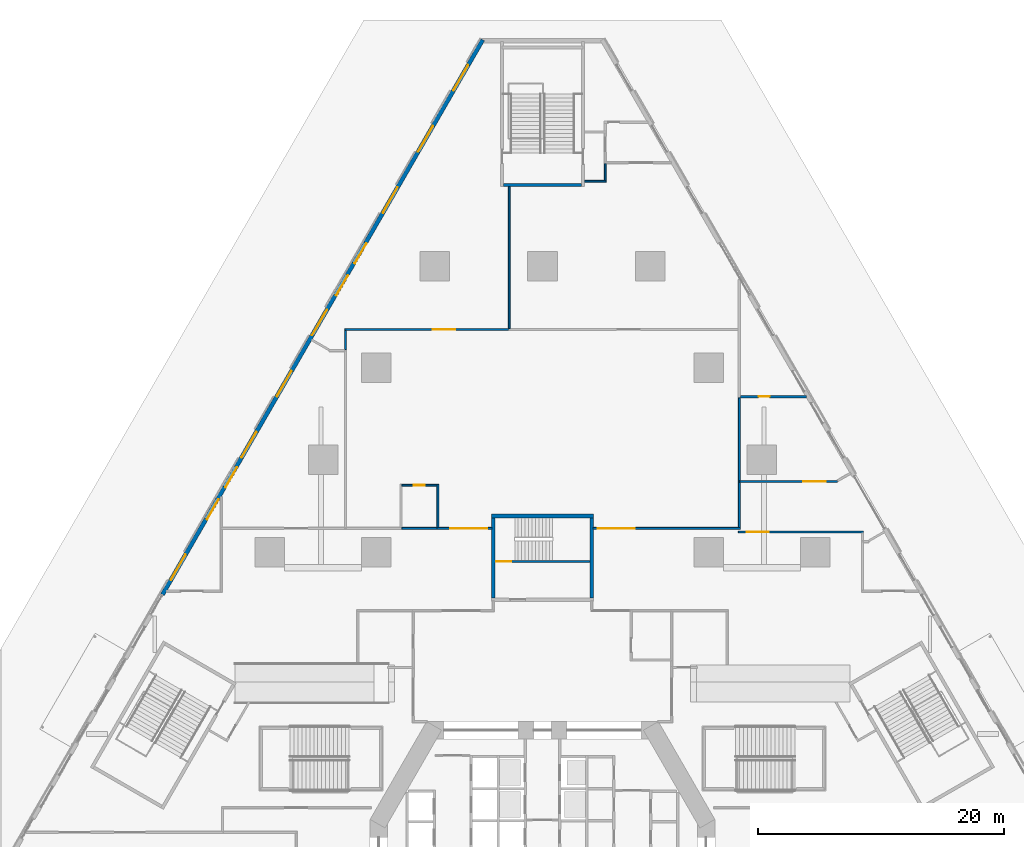
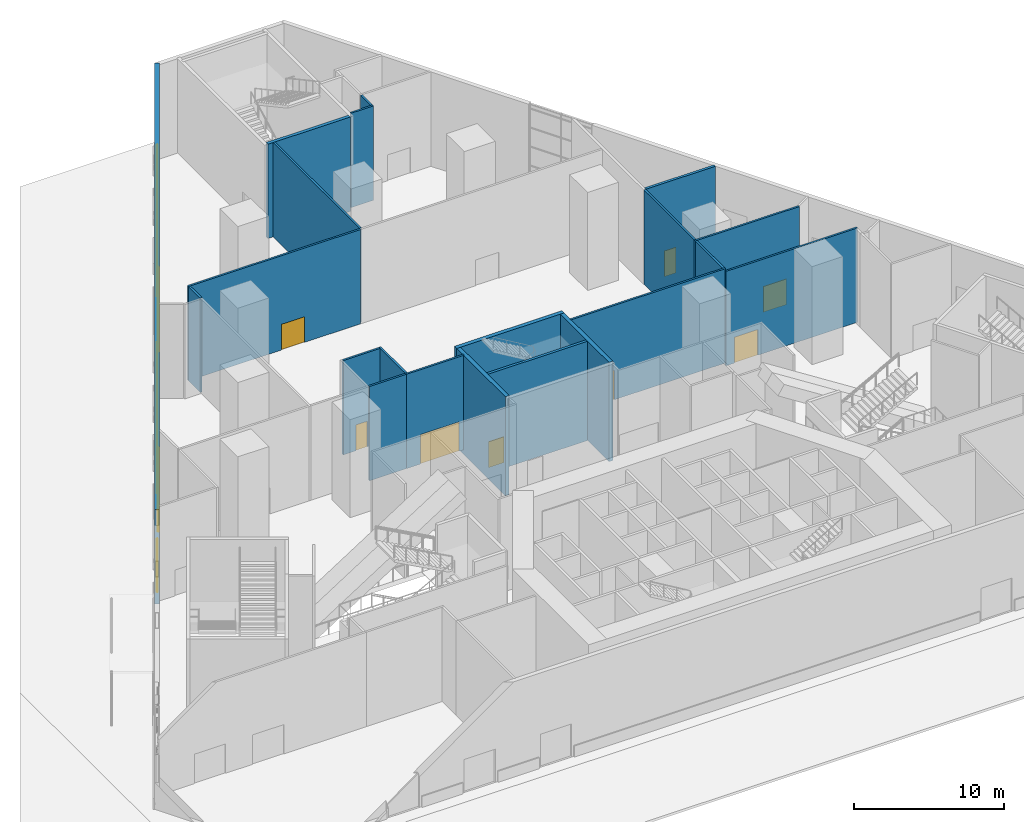
# One storey, part 16 of 24: 21 walls, 15 doors, 4 windows, 19 openings.
"""IFC4 building model written with IfcOpenShell, lengths in metres."""

from ifc_helpers import new_model, si_unit, direction, frame, frame_2d, origin, place, context, subcontext, project, spatial, rectangle, extrude, material, layer, layer_set, type_object, element, fill, save


model = new_model("IFC4")

# Units and contexts
model_context = context("Model", 3, precision=1e-05, world=origin(), true_north=direction((0.0, 1.0)))
body_context = subcontext(model_context, "Body", "Model", "MODEL_VIEW")
ifc_project = project(units=[si_unit("LENGTHUNIT", "METRE"), si_unit("AREAUNIT", "SQUARE_METRE"), si_unit("VOLUMEUNIT", "CUBIC_METRE"), si_unit("PLANEANGLEUNIT", "RADIAN"), si_unit("MASSUNIT", "GRAM", prefix="KILO")], contexts=[model_context])

# Site, building, storey
site_placement = place(None, origin())
site = spatial("IfcSite", under=ifc_project, at=site_placement, CompositionType="ELEMENT")
building_placement = place(site_placement, origin())
building = spatial("IfcBuilding", under=site, at=building_placement, Name="Fogline Exchange Tower", CompositionType="ELEMENT")
storey_placement = place(building_placement, origin())
storey = spatial("IfcBuildingStorey", under=building, at=storey_placement, Name="L00", CompositionType="ELEMENT", Elevation=0.0)

# Wall, opening, door
ifc_material_1 = material(Name="Concrete C40", Category="concrete")
ifc_layer_1 = layer(ifc_material_1, 0.199951171875)
ifc_layer_set_1 = layer_set([ifc_layer_1], Name="CW20R")
wall_type_1 = type_object("IfcWallType", Name="CW20R", PredefinedType="SOLIDWALL", material=ifc_layer_set_1)
wall_1_placement = place(storey_placement, frame((-3.85009765625, 32.007080078125, -0.39990234375), z_axis=(0.0, 0.0, 1.0), x_axis=(1.0, 0.0, 0.0)))
wall_1 = element("IfcWall", 1, at=wall_1_placement, inside=storey, type_object=wall_type_1, Name="Stair enclosure wall ST3", PredefinedType="SOLIDWALL", context=body_context, shape_type="SweptSolid", body=[
    extrude(rectangle(XDim=7.7001953125, YDim=0.199951171875, at=frame_2d((3.85009765625, 0.0))), origin(), (0.0, 0.0, 1.0), 8.099853515625),
])
opening_1_placement = place(wall_1_placement, frame((0.10009765625, 0.0, 0.39990234375)))
opening_1 = element("IfcOpeningElement", 2, at=opening_1_placement, cuts=wall_1, Name="Opening P00-C024", PredefinedType="OPENING", context=body_context, shape_type="SweptSolid", body=[
    extrude(rectangle(XDim=1.199951171875, YDim=2.10009765625, at=frame_2d((0.60009765625, 1.050048828125))), frame((0.0, 0.10986328125, 0.0), z_axis=(0.0, -1.0, 0.0), x_axis=(1.0, 0.0, 0.0)), (0.0, 0.0, 1.0), 0.219970703125),
])
ifc_material_2 = material(Name="Steel and timber fire door", Category="steel")
door_type_1 = type_object("IfcDoorType", Name="D-ST1", OperationType="SINGLE_SWING_LEFT", PredefinedType="DOOR", material=ifc_material_2)
door_1_placement = place(opening_1_placement, origin())
door_1 = element("IfcDoor", 3, at=door_1_placement, inside=storey, type_object=door_type_1, Name="Stair door ST3", OperationType="SINGLE_SWING_LEFT", OverallHeight=2.10009765625, OverallWidth=1.199951171875, PredefinedType="DOOR", context=body_context, shape_type="SweptSolid", body=[
    extrude(rectangle(XDim=1.199951171875, YDim=2.10009765625, at=frame_2d((0.60009765625, 1.050048828125))), frame((0.0, 0.02490234375, 0.0), z_axis=(0.0, -1.0, 0.0), x_axis=(1.0, 0.0, 0.0)), (0.0, 0.0, 1.0), 0.050048828125),
])
fill(opening_1, door_1)

# Walls
ifc_layer_2 = layer(ifc_material_1, 0.300048828125)
ifc_layer_set_2 = layer_set([ifc_layer_2], Name="CW30")
wall_type_2 = type_object("IfcWallType", Name="CW30", PredefinedType="SOLIDWALL", material=ifc_layer_set_2)
wall_2_placement = place(storey_placement, frame((-4.14990234375, 35.70703125, -0.39990234375), z_axis=(0.0, 0.0, 1.0), x_axis=(1.0, 0.0, 0.0)))
element("IfcWall", 4, at=wall_2_placement, inside=storey, type_object=wall_type_2, Name="Stair enclosure wall ST3", PredefinedType="SOLIDWALL", context=body_context, shape_type="SweptSolid", body=[
    extrude(rectangle(XDim=8.2998046875, YDim=0.300048828125, at=frame_2d((4.14990234375, 0.0))), origin(), (0.0, 0.0, 1.0), 8.099853515625),
])
for number, where, z_axis, x_axis, name in (
    (5, (-4.0, 29.056884765625, -0.39990234375), (0.0, 0.0, 1.0), (0.0, 1.0, 0.0), "Stair enclosure wall ST3"),
    (6, (4.0, 29.056884765625, -0.39990234375), (0.0, 0.0, 1.0), (0.0, 1.0, 0.0), "Stair enclosure wall ST3"),
):
    element("IfcWall", number, at=place(storey_placement, frame(where, z_axis=z_axis, x_axis=x_axis)), inside=storey, type_object=wall_type_2, Name=name, PredefinedType="SOLIDWALL", context=body_context, shape_type="SweptSolid", body=[
        extrude(rectangle(XDim=6.5, YDim=0.300048828125, at=frame_2d((3.25, 0.0))), origin(), (0.0, 0.0, 1.0), 8.099853515625),
    ])

# Wall, openings, doors, windows
ifc_material_3 = material(Name="Brick masonry", Category="masonry")
ifc_layer_3 = layer(ifc_material_3, 0.340087890625)
ifc_layer_set_3 = layer_set([ifc_layer_3], Name="FW1")
wall_type_3 = type_object("IfcWallType", Name="FW1", PredefinedType="SOLIDWALL", material=ifc_layer_set_3)
wall_3_placement = place(storey_placement, frame((-4.852783203125, 74.393310546875, 0.0), z_axis=(0.0, 0.0, 1.0), x_axis=(-0.499999725439, -0.866025562302, 0.0)))
wall_3 = element("IfcWall", 7, at=wall_3_placement, inside=storey, type_object=wall_type_3, Name="Brick wall L00 W bay 1", PredefinedType="SOLIDWALL", context=body_context, shape_type="SweptSolid", body=[
    extrude(rectangle(XDim=52.0576171875, YDim=0.340087890625, at=frame_2d((26.02880859375, 0.0))), origin(), (0.0, 0.0, 1.0), 7.699951171875),
])
opening_2_placement = place(wall_3_placement, frame((19.0576171875, 0.0, 0.89990234375)))
opening_2 = element("IfcOpeningElement", 8, at=opening_2_placement, cuts=wall_3, Name="Opening W7", PredefinedType="OPENING", context=body_context, shape_type="SweptSolid", body=[
    extrude(rectangle(XDim=1.885009765625, YDim=3.5, at=frame_2d((0.9423828125, 1.75))), frame((0.0, 0.18017578125, 0.0), z_axis=(0.0, -1.0, 0.0), x_axis=(1.0, 0.0, 0.0)), (0.0, 0.0, 1.0), 0.360107421875),
])
opening_3_placement = place(wall_3_placement, frame((22.0576171875, 0.0, 0.89990234375)))
opening_3 = element("IfcOpeningElement", 9, at=opening_3_placement, cuts=wall_3, Name="Opening W7", PredefinedType="OPENING", context=body_context, shape_type="SweptSolid", body=[
    extrude(rectangle(XDim=1.885009765625, YDim=3.5, at=frame_2d((0.9423828125, 1.75))), frame((0.0, 0.18017578125, 0.0), z_axis=(0.0, -1.0, 0.0), x_axis=(1.0, 0.0, 0.0)), (0.0, 0.0, 1.0), 0.360107421875),
])
opening_4_placement = place(wall_3_placement, frame((40.0576171875, 0.0, 0.89990234375)))
opening_4 = element("IfcOpeningElement", 10, at=opening_4_placement, cuts=wall_3, Name="Opening W7", PredefinedType="OPENING", context=body_context, shape_type="SweptSolid", body=[
    extrude(rectangle(XDim=1.885009765625, YDim=3.5, at=frame_2d((0.9423828125, 1.75))), frame((0.0, 0.18017578125, 0.0), z_axis=(0.0, -1.0, 0.0), x_axis=(1.0, 0.0, 0.0)), (0.0, 0.0, 1.0), 0.360107421875),
])
opening_5_placement = place(wall_3_placement, frame((43.0576171875, 0.0, 0.89990234375)))
opening_5 = element("IfcOpeningElement", 11, at=opening_5_placement, cuts=wall_3, Name="Opening W7", PredefinedType="OPENING", context=body_context, shape_type="SweptSolid", body=[
    extrude(rectangle(XDim=1.885009765625, YDim=3.5, at=frame_2d((0.9423828125, 1.75))), frame((0.0, 0.18017578125, 0.0), z_axis=(0.0, -1.0, 0.0), x_axis=(1.0, 0.0, 0.0)), (0.0, 0.0, 1.0), 0.360107421875),
])
opening_6_placement = place(wall_3_placement, frame((48.279052734375, 0.0, 0.0)))
opening_6 = element("IfcOpeningElement", 12, at=opening_6_placement, cuts=wall_3, Name="Opening P00-E051", PredefinedType="OPENING", context=body_context, shape_type="SweptSolid", body=[
    extrude(rectangle(XDim=2.39990234375, YDim=2.699951171875, at=frame_2d((1.199951171875, 1.35009765625))), frame((0.0, 0.18017578125, 0.0), z_axis=(0.0, -1.0, 0.0), x_axis=(1.0, 0.0, 0.0)), (0.0, 0.0, 1.0), 0.360107421875),
])
opening_7_placement = place(wall_3_placement, frame((36.800048828125, 0.0, 0.0)))
opening_7 = element("IfcOpeningElement", 13, at=opening_7_placement, cuts=wall_3, Name="Opening P00-E052", PredefinedType="OPENING", context=body_context, shape_type="SweptSolid", body=[
    extrude(rectangle(XDim=2.39990234375, YDim=2.699951171875, at=frame_2d((1.199951171875, 1.35009765625))), frame((0.0, 0.18017578125, 0.0), z_axis=(0.0, -1.0, 0.0), x_axis=(1.0, 0.0, 0.0)), (0.0, 0.0, 1.0), 0.360107421875),
])
opening_8_placement = place(wall_3_placement, frame((31.06005859375, 0.0, 0.0)))
opening_8 = element("IfcOpeningElement", 14, at=opening_8_placement, cuts=wall_3, Name="Opening P00-E053", PredefinedType="OPENING", context=body_context, shape_type="SweptSolid", body=[
    extrude(rectangle(XDim=2.39990234375, YDim=2.699951171875, at=frame_2d((1.199951171875, 1.35009765625))), frame((0.0, 0.18017578125, 0.0), z_axis=(0.0, -1.0, 0.0), x_axis=(1.0, 0.0, 0.0)), (0.0, 0.0, 1.0), 0.360107421875),
])
opening_9_placement = place(wall_3_placement, frame((25.321044921875, 0.0, 0.0)))
opening_9 = element("IfcOpeningElement", 15, at=opening_9_placement, cuts=wall_3, Name="Opening P00-E054", PredefinedType="OPENING", context=body_context, shape_type="SweptSolid", body=[
    extrude(rectangle(XDim=2.39990234375, YDim=2.699951171875, at=frame_2d((1.199951171875, 1.35009765625))), frame((0.0, 0.18017578125, 0.0), z_axis=(0.0, -1.0, 0.0), x_axis=(1.0, 0.0, 0.0)), (0.0, 0.0, 1.0), 0.360107421875),
])
opening_10_placement = place(wall_3_placement, frame((13.842041015625, 0.0, 0.0)))
opening_10 = element("IfcOpeningElement", 16, at=opening_10_placement, cuts=wall_3, Name="Opening P00-E055", PredefinedType="OPENING", context=body_context, shape_type="SweptSolid", body=[
    extrude(rectangle(XDim=2.39990234375, YDim=2.699951171875, at=frame_2d((1.199951171875, 1.35009765625))), frame((0.0, 0.18017578125, 0.0), z_axis=(0.0, -1.0, 0.0), x_axis=(1.0, 0.0, 0.0)), (0.0, 0.0, 1.0), 0.360107421875),
])
opening_11_placement = place(wall_3_placement, frame((8.10205078125, 0.0, 0.0)))
opening_11 = element("IfcOpeningElement", 17, at=opening_11_placement, cuts=wall_3, Name="Opening P00-E056", PredefinedType="OPENING", context=body_context, shape_type="SweptSolid", body=[
    extrude(rectangle(XDim=2.39990234375, YDim=2.699951171875, at=frame_2d((1.199951171875, 1.35009765625))), frame((0.0, 0.18017578125, 0.0), z_axis=(0.0, -1.0, 0.0), x_axis=(1.0, 0.0, 0.0)), (0.0, 0.0, 1.0), 0.360107421875),
])
opening_12_placement = place(wall_3_placement, frame((2.363037109375, 0.0, 0.0)))
opening_12 = element("IfcOpeningElement", 18, at=opening_12_placement, cuts=wall_3, Name="Opening P00-E057", PredefinedType="OPENING", context=body_context, shape_type="SweptSolid", body=[
    extrude(rectangle(XDim=2.39990234375, YDim=2.699951171875, at=frame_2d((1.199951171875, 1.35009765625))), frame((0.0, 0.18017578125, 0.0), z_axis=(0.0, -1.0, 0.0), x_axis=(1.0, 0.0, 0.0)), (0.0, 0.0, 1.0), 0.360107421875),
])
ifc_material_4 = material(Name="Aluminium and glass", Category="aluminium")
door_type_2 = type_object("IfcDoorType", Name="ED6", OperationType="SINGLE_SWING_LEFT", PredefinedType="DOOR", material=ifc_material_4)
door_2_placement = place(opening_6_placement, frame((2.39990234375, 0.0, 0.0), z_axis=(0.0, 0.0, 1.0), x_axis=(-1.0, 0.0, 0.0)))
door_2 = element("IfcDoor", 19, at=door_2_placement, inside=storey, type_object=door_type_2, Name="Exit door L00 W", OperationType="DOUBLE_DOOR_SINGLE_SWING", OverallHeight=2.699951171875, OverallWidth=2.39990234375, PredefinedType="DOOR", context=body_context, shape_type="SweptSolid", body=[
    extrude(rectangle(XDim=2.39990234375, YDim=2.699951171875, at=frame_2d((1.199951171875, 1.35009765625))), frame((0.0, 0.02490234375, 0.0), z_axis=(0.0, -1.0, 0.0), x_axis=(1.0, 0.0, 0.0)), (0.0, 0.0, 1.0), 0.050048828125),
])
fill(opening_6, door_2)
door_3_placement = place(opening_7_placement, frame((2.39990234375, 0.0, 0.0), z_axis=(0.0, 0.0, 1.0), x_axis=(-1.0, 0.0, 0.0)))
door_3 = element("IfcDoor", 20, at=door_3_placement, inside=storey, type_object=door_type_2, Name="Exit door L00 W", OperationType="DOUBLE_DOOR_SINGLE_SWING", OverallHeight=2.699951171875, OverallWidth=2.39990234375, PredefinedType="DOOR", context=body_context, shape_type="SweptSolid", body=[
    extrude(rectangle(XDim=2.39990234375, YDim=2.699951171875, at=frame_2d((1.199951171875, 1.35009765625))), frame((0.0, 0.02490234375, 0.0), z_axis=(0.0, -1.0, 0.0), x_axis=(1.0, 0.0, 0.0)), (0.0, 0.0, 1.0), 0.050048828125),
])
fill(opening_7, door_3)
door_4_placement = place(opening_8_placement, frame((2.39990234375, 0.0, 0.0), z_axis=(0.0, 0.0, 1.0), x_axis=(-1.0, 0.0, 0.0)))
door_4 = element("IfcDoor", 21, at=door_4_placement, inside=storey, type_object=door_type_2, Name="Exit door L00 W", OperationType="DOUBLE_DOOR_SINGLE_SWING", OverallHeight=2.699951171875, OverallWidth=2.39990234375, PredefinedType="DOOR", context=body_context, shape_type="SweptSolid", body=[
    extrude(rectangle(XDim=2.39990234375, YDim=2.699951171875, at=frame_2d((1.199951171875, 1.35009765625))), frame((0.0, 0.02490234375, 0.0), z_axis=(0.0, -1.0, 0.0), x_axis=(1.0, 0.0, 0.0)), (0.0, 0.0, 1.0), 0.050048828125),
])
fill(opening_8, door_4)
door_5_placement = place(opening_9_placement, frame((2.39990234375, 0.0, 0.0), z_axis=(0.0, 0.0, 1.0), x_axis=(-1.0, 0.0, 0.0)))
door_5 = element("IfcDoor", 22, at=door_5_placement, inside=storey, type_object=door_type_2, Name="Exit door L00 W", OperationType="DOUBLE_DOOR_SINGLE_SWING", OverallHeight=2.699951171875, OverallWidth=2.39990234375, PredefinedType="DOOR", context=body_context, shape_type="SweptSolid", body=[
    extrude(rectangle(XDim=2.39990234375, YDim=2.699951171875, at=frame_2d((1.199951171875, 1.35009765625))), frame((0.0, 0.02490234375, 0.0), z_axis=(0.0, -1.0, 0.0), x_axis=(1.0, 0.0, 0.0)), (0.0, 0.0, 1.0), 0.050048828125),
])
fill(opening_9, door_5)
door_6_placement = place(opening_10_placement, frame((2.39990234375, 0.0, 0.0), z_axis=(0.0, 0.0, 1.0), x_axis=(-1.0, 0.0, 0.0)))
door_6 = element("IfcDoor", 23, at=door_6_placement, inside=storey, type_object=door_type_2, Name="Exit door L00 W", OperationType="DOUBLE_DOOR_SINGLE_SWING", OverallHeight=2.699951171875, OverallWidth=2.39990234375, PredefinedType="DOOR", context=body_context, shape_type="SweptSolid", body=[
    extrude(rectangle(XDim=2.39990234375, YDim=2.699951171875, at=frame_2d((1.199951171875, 1.35009765625))), frame((0.0, 0.02490234375, 0.0), z_axis=(0.0, -1.0, 0.0), x_axis=(1.0, 0.0, 0.0)), (0.0, 0.0, 1.0), 0.050048828125),
])
fill(opening_10, door_6)
door_7_placement = place(opening_11_placement, frame((2.39990234375, 0.0, 0.0), z_axis=(0.0, 0.0, 1.0), x_axis=(-1.0, 0.0, 0.0)))
door_7 = element("IfcDoor", 24, at=door_7_placement, inside=storey, type_object=door_type_2, Name="Exit door L00 W", OperationType="DOUBLE_DOOR_SINGLE_SWING", OverallHeight=2.699951171875, OverallWidth=2.39990234375, PredefinedType="DOOR", context=body_context, shape_type="SweptSolid", body=[
    extrude(rectangle(XDim=2.39990234375, YDim=2.699951171875, at=frame_2d((1.199951171875, 1.35009765625))), frame((0.0, 0.02490234375, 0.0), z_axis=(0.0, -1.0, 0.0), x_axis=(1.0, 0.0, 0.0)), (0.0, 0.0, 1.0), 0.050048828125),
])
fill(opening_11, door_7)
door_8_placement = place(opening_12_placement, frame((2.39990234375, 0.0, 0.0), z_axis=(0.0, 0.0, 1.0), x_axis=(-1.0, 0.0, 0.0)))
door_8 = element("IfcDoor", 25, at=door_8_placement, inside=storey, type_object=door_type_2, Name="Exit door L00 W", OperationType="DOUBLE_DOOR_SINGLE_SWING", OverallHeight=2.699951171875, OverallWidth=2.39990234375, PredefinedType="DOOR", context=body_context, shape_type="SweptSolid", body=[
    extrude(rectangle(XDim=2.39990234375, YDim=2.699951171875, at=frame_2d((1.199951171875, 1.35009765625))), frame((0.0, 0.02490234375, 0.0), z_axis=(0.0, -1.0, 0.0), x_axis=(1.0, 0.0, 0.0)), (0.0, 0.0, 1.0), 0.050048828125),
])
fill(opening_12, door_8)
window_type = type_object("IfcWindowType", Name="W7", PartitioningType="SINGLE_PANEL", PredefinedType="WINDOW", material=ifc_material_4)
window_1_placement = place(opening_2_placement, origin())
window_1 = element("IfcWindow", 26, at=window_1_placement, inside=storey, type_object=window_type, Name="W7 W7", OverallHeight=3.5, OverallWidth=1.885009765625, PartitioningType="SINGLE_PANEL", PredefinedType="WINDOW", context=body_context, shape_type="SweptSolid", body=[
    extrude(rectangle(XDim=1.885009765625, YDim=3.5, at=frame_2d((0.9423828125, 1.75))), frame((0.0, 0.110107421875, 0.0), z_axis=(0.0, -1.0, 0.0), x_axis=(1.0, 0.0, 0.0)), (0.0, 0.0, 1.0), 0.06005859375),
])
fill(opening_2, window_1)
window_2_placement = place(opening_3_placement, origin())
window_2 = element("IfcWindow", 27, at=window_2_placement, inside=storey, type_object=window_type, Name="W7 W7", OverallHeight=3.5, OverallWidth=1.885009765625, PartitioningType="SINGLE_PANEL", PredefinedType="WINDOW", context=body_context, shape_type="SweptSolid", body=[
    extrude(rectangle(XDim=1.885009765625, YDim=3.5, at=frame_2d((0.9423828125, 1.75))), frame((0.0, 0.110107421875, 0.0), z_axis=(0.0, -1.0, 0.0), x_axis=(1.0, 0.0, 0.0)), (0.0, 0.0, 1.0), 0.06005859375),
])
fill(opening_3, window_2)
window_3_placement = place(opening_4_placement, origin())
window_3 = element("IfcWindow", 28, at=window_3_placement, inside=storey, type_object=window_type, Name="W7 W7", OverallHeight=3.5, OverallWidth=1.885009765625, PartitioningType="SINGLE_PANEL", PredefinedType="WINDOW", context=body_context, shape_type="SweptSolid", body=[
    extrude(rectangle(XDim=1.885009765625, YDim=3.5, at=frame_2d((0.9423828125, 1.75))), frame((0.0, 0.110107421875, 0.0), z_axis=(0.0, -1.0, 0.0), x_axis=(1.0, 0.0, 0.0)), (0.0, 0.0, 1.0), 0.06005859375),
])
fill(opening_4, window_3)
window_4_placement = place(opening_5_placement, origin())
window_4 = element("IfcWindow", 29, at=window_4_placement, inside=storey, type_object=window_type, Name="W7 W7", OverallHeight=3.5, OverallWidth=1.885009765625, PartitioningType="SINGLE_PANEL", PredefinedType="WINDOW", context=body_context, shape_type="SweptSolid", body=[
    extrude(rectangle(XDim=1.885009765625, YDim=3.5, at=frame_2d((0.9423828125, 1.75))), frame((0.0, 0.110107421875, 0.0), z_axis=(0.0, -1.0, 0.0), x_axis=(1.0, 0.0, 0.0)), (0.0, 0.0, 1.0), 0.06005859375),
])
fill(opening_5, window_4)

# Wall, opening, door
ifc_material_5 = material(Name="Plasterboard on steel stud", Category="steel")
ifc_layer_4 = layer(ifc_material_5, 0.14990234375)
ifc_layer_set_4 = layer_set([ifc_layer_4], Name="PP1")
wall_type_4 = type_object("IfcWallType", Name="PP1", PredefinedType="PARTITIONING", material=ifc_layer_set_4)
wall_4_placement = place(storey_placement, frame((26.074951171875, 34.39990234375, 0.0), z_axis=(0.0, 0.0, 1.0), x_axis=(-1.0, 0.0, 0.0)))
wall_4 = element("IfcWall", 30, at=wall_4_placement, inside=storey, type_object=wall_type_4, Name="PP1 partition", PredefinedType="PARTITIONING", context=body_context, shape_type="SweptSolid", body=[
    extrude(rectangle(XDim=10.14990234375, YDim=0.14990234375, at=frame_2d((5.074951171875, 0.0))), origin(), (0.0, 0.0, 1.0), 7.699951171875),
])
opening_13_placement = place(wall_4_placement, frame((7.675048828125, 0.0, 0.0)))
opening_13 = element("IfcOpeningElement", 31, at=opening_13_placement, cuts=wall_4, Name="Opening P00-D032", PredefinedType="OPENING", context=body_context, shape_type="SweptSolid", body=[
    extrude(rectangle(XDim=1.800048828125, YDim=2.10009765625, at=frame_2d((0.89990234375, 1.050048828125))), frame((0.0, 0.0849609375, 0.0), z_axis=(0.0, -1.0, 0.0), x_axis=(1.0, 0.0, 0.0)), (0.0, 0.0, 1.0), 0.169921875),
])
ifc_material_6 = material(Name="Timber", Category="wood")
door_type_3 = type_object("IfcDoorType", Name="PD3", OperationType="DOUBLE_DOOR_SINGLE_SWING", PredefinedType="DOOR", material=ifc_material_6)
door_9_placement = place(opening_13_placement, frame((1.800048828125, 0.0, 0.0), z_axis=(0.0, 0.0, 1.0), x_axis=(-1.0, 0.0, 0.0)))
door_9 = element("IfcDoor", 32, at=door_9_placement, inside=storey, type_object=door_type_3, Name="P00-D032", OperationType="DOUBLE_DOOR_SINGLE_SWING", OverallHeight=2.10009765625, OverallWidth=1.800048828125, PredefinedType="DOOR", context=body_context, shape_type="SweptSolid", body=[
    extrude(rectangle(XDim=1.800048828125, YDim=2.10009765625, at=frame_2d((0.89990234375, 1.050048828125))), frame((0.0, 0.02490234375, 0.0), z_axis=(0.0, -1.0, 0.0), x_axis=(1.0, 0.0, 0.0)), (0.0, 0.0, 1.0), 0.050048828125),
])
fill(opening_13, door_9)

# Wall
wall_5_placement = place(storey_placement, frame((-8.574951171875, 34.699951171875, 0.0), z_axis=(0.0, 0.0, 1.0), x_axis=(-1.0, 0.0, 0.0)))
element("IfcWall", 33, at=wall_5_placement, inside=storey, type_object=wall_type_4, Name="PP1 partition", PredefinedType="PARTITIONING", context=body_context, shape_type="SweptSolid", body=[
    extrude(rectangle(XDim=2.85009765625, YDim=0.14990234375, at=frame_2d((1.425048828125, 0.0))), origin(), (0.0, 0.0, 1.0), 7.699951171875),
])

# Wall, opening, door
wall_6_placement = place(storey_placement, frame((-4.10498046875, 34.699951171875, 0.0), z_axis=(0.0, 0.0, 1.0), x_axis=(-1.0, 0.0, 0.0)))
wall_6 = element("IfcWall", 34, at=wall_6_placement, inside=storey, type_object=wall_type_4, Name="PP1 partition", PredefinedType="PARTITIONING", context=body_context, shape_type="SweptSolid", body=[
    extrude(rectangle(XDim=4.469970703125, YDim=0.14990234375, at=frame_2d((2.23486328125, 0.0))), origin(), (0.0, 0.0, 1.0), 7.699951171875),
])
opening_14_placement = place(wall_6_placement, frame((0.39501953125, 0.0, 0.0)))
opening_14 = element("IfcOpeningElement", 35, at=opening_14_placement, cuts=wall_6, Name="Opening P00-D027", PredefinedType="OPENING", context=body_context, shape_type="SweptSolid", body=[
    extrude(rectangle(XDim=3.0, YDim=2.39990234375, at=frame_2d((1.5, 1.199951171875))), frame((0.0, 0.0849609375, 0.0), z_axis=(0.0, -1.0, 0.0), x_axis=(1.0, 0.0, 0.0)), (0.0, 0.0, 1.0), 0.169921875),
])
ifc_material_7 = material(Name="Steel Q235B", Category="steel")
door_type_4 = type_object("IfcDoorType", Name="PD13", OperationType="DOUBLE_DOOR_SINGLE_SWING", PredefinedType="DOOR", material=ifc_material_7)
door_10_placement = place(opening_14_placement, origin())
door_10 = element("IfcDoor", 36, at=door_10_placement, inside=storey, type_object=door_type_4, Name="P00-D027", OperationType="DOUBLE_DOOR_SINGLE_SWING", OverallHeight=2.39990234375, OverallWidth=3.0, PredefinedType="DOOR", context=body_context, shape_type="SweptSolid", body=[
    extrude(rectangle(XDim=3.0, YDim=2.39990234375, at=frame_2d((1.5, 1.199951171875))), frame((0.0, 0.02490234375, 0.0), z_axis=(0.0, -1.0, 0.0), x_axis=(1.0, 0.0, 0.0)), (0.0, 0.0, 1.0), 0.050048828125),
])
fill(opening_14, door_10)

wall_7_placement = place(storey_placement, frame((16.074951171875, 34.699951171875, 0.0), z_axis=(0.0, 0.0, 1.0), x_axis=(-1.0, 0.0, 0.0)))
wall_7 = element("IfcWall", 37, at=wall_7_placement, inside=storey, type_object=wall_type_4, Name="PP1 partition", PredefinedType="PARTITIONING", context=body_context, shape_type="SweptSolid", body=[
    extrude(rectangle(XDim=11.969970703125, YDim=0.14990234375, at=frame_2d((5.98486328125, 0.0))), origin(), (0.0, 0.0, 1.0), 7.699951171875),
])
opening_15_placement = place(wall_7_placement, frame((8.574951171875, 0.0, 0.0)))
opening_15 = element("IfcOpeningElement", 38, at=opening_15_placement, cuts=wall_7, Name="Opening P00-D028", PredefinedType="OPENING", context=body_context, shape_type="SweptSolid", body=[
    extrude(rectangle(XDim=3.0, YDim=2.39990234375, at=frame_2d((1.5, 1.199951171875))), frame((0.0, 0.0849609375, 0.0), z_axis=(0.0, -1.0, 0.0), x_axis=(1.0, 0.0, 0.0)), (0.0, 0.0, 1.0), 0.169921875),
])
door_11_placement = place(opening_15_placement, origin())
door_11 = element("IfcDoor", 39, at=door_11_placement, inside=storey, type_object=door_type_4, Name="P00-D028", OperationType="DOUBLE_DOOR_SINGLE_SWING", OverallHeight=2.39990234375, OverallWidth=3.0, PredefinedType="DOOR", context=body_context, shape_type="SweptSolid", body=[
    extrude(rectangle(XDim=3.0, YDim=2.39990234375, at=frame_2d((1.5, 1.199951171875))), frame((0.0, 0.02490234375, 0.0), z_axis=(0.0, -1.0, 0.0), x_axis=(1.0, 0.0, 0.0)), (0.0, 0.0, 1.0), 0.050048828125),
])
fill(opening_15, door_11)

# Wall
wall_8_placement = place(storey_placement, frame((16.0, 34.77490234375, 0.0), z_axis=(0.0, 0.0, 1.0), x_axis=(0.0, 1.0, 0.0)))
element("IfcWall", 40, at=wall_8_placement, inside=storey, type_object=wall_type_4, Name="PP1 partition", PredefinedType="PARTITIONING", context=body_context, shape_type="SweptSolid", body=[
    extrude(rectangle(XDim=3.650146484375, YDim=0.14990234375, at=frame_2d((1.8251953125, 0.0))), origin(), (0.0, 0.0, 1.0), 7.699951171875),
])

# Wall, opening, door
wall_9_placement = place(storey_placement, frame((-11.425048828125, 38.199951171875, 0.0), z_axis=(0.0, 0.0, 1.0), x_axis=(1.0, 0.0, 0.0)))
wall_9 = element("IfcWall", 41, at=wall_9_placement, inside=storey, type_object=wall_type_4, Name="PP1 partition", PredefinedType="PARTITIONING", context=body_context, shape_type="SweptSolid", body=[
    extrude(rectangle(XDim=2.85009765625, YDim=0.14990234375, at=frame_2d((1.425048828125, 0.0))), origin(), (0.0, 0.0, 1.0), 7.699951171875),
])
opening_16_placement = place(wall_9_placement, frame((0.97509765625, 0.0, 0.0)))
opening_16 = element("IfcOpeningElement", 42, at=opening_16_placement, cuts=wall_9, Name="Opening P00-D031", PredefinedType="OPENING", context=body_context, shape_type="SweptSolid", body=[
    extrude(rectangle(XDim=0.89990234375, YDim=2.10009765625, at=frame_2d((0.449951171875, 1.050048828125))), frame((0.0, 0.0849609375, 0.0), z_axis=(0.0, -1.0, 0.0), x_axis=(1.0, 0.0, 0.0)), (0.0, 0.0, 1.0), 0.169921875),
])
door_type_5 = type_object("IfcDoorType", Name="PD2", OperationType="SINGLE_SWING_LEFT", PredefinedType="DOOR", material=ifc_material_6)
door_12_placement = place(opening_16_placement, frame((0.89990234375, 0.0, 0.0), z_axis=(0.0, 0.0, 1.0), x_axis=(-1.0, 0.0, 0.0)))
door_12 = element("IfcDoor", 43, at=door_12_placement, inside=storey, type_object=door_type_5, Name="P00-D031", OperationType="SINGLE_SWING_LEFT", OverallHeight=2.10009765625, OverallWidth=0.89990234375, PredefinedType="DOOR", context=body_context, shape_type="SweptSolid", body=[
    extrude(rectangle(XDim=0.89990234375, YDim=2.10009765625, at=frame_2d((0.449951171875, 1.050048828125))), frame((0.0, 0.02490234375, 0.0), z_axis=(0.0, -1.0, 0.0), x_axis=(1.0, 0.0, 0.0)), (0.0, 0.0, 1.0), 0.050048828125),
])
fill(opening_16, door_12)

# Wall
wall_10_placement = place(storey_placement, frame((-8.5, 38.27490234375, 0.0), z_axis=(0.0, 0.0, 1.0), x_axis=(0.0, -1.0, 0.0)))
element("IfcWall", 44, at=wall_10_placement, inside=storey, type_object=wall_type_4, Name="PP1 partition", PredefinedType="PARTITIONING", context=body_context, shape_type="SweptSolid", body=[
    extrude(rectangle(XDim=3.5, YDim=0.14990234375, at=frame_2d((1.75, 0.0))), origin(), (0.0, 0.0, 1.0), 7.699951171875),
])

# Wall, opening, door
wall_11_placement = place(storey_placement, frame((15.925048828125, 38.5, 0.0), z_axis=(0.0, 0.0, 1.0), x_axis=(1.0, 0.0, 0.0)))
wall_11 = element("IfcWall", 45, at=wall_11_placement, inside=storey, type_object=wall_type_4, Name="PP1 partition", PredefinedType="PARTITIONING", context=body_context, shape_type="SweptSolid", body=[
    extrude(rectangle(XDim=8.03515625, YDim=0.14990234375, at=frame_2d((4.017578125, 0.0))), origin(), (0.0, 0.0, 1.0), 7.699951171875),
])
opening_17_placement = place(wall_11_placement, frame((5.27490234375, 0.0, 0.0)))
opening_17 = element("IfcOpeningElement", 46, at=opening_17_placement, cuts=wall_11, Name="Opening P00-D033", PredefinedType="OPENING", context=body_context, shape_type="SweptSolid", body=[
    extrude(rectangle(XDim=1.800048828125, YDim=2.10009765625, at=frame_2d((0.89990234375, 1.050048828125))), frame((0.0, 0.0849609375, 0.0), z_axis=(0.0, -1.0, 0.0), x_axis=(1.0, 0.0, 0.0)), (0.0, 0.0, 1.0), 0.169921875),
])
door_13_placement = place(opening_17_placement, frame((1.800048828125, 0.0, 0.0), z_axis=(0.0, 0.0, 1.0), x_axis=(-1.0, 0.0, 0.0)))
door_13 = element("IfcDoor", 47, at=door_13_placement, inside=storey, type_object=door_type_3, Name="P00-D033", OperationType="DOUBLE_DOOR_SINGLE_SWING", OverallHeight=2.10009765625, OverallWidth=1.800048828125, PredefinedType="DOOR", context=body_context, shape_type="SweptSolid", body=[
    extrude(rectangle(XDim=1.800048828125, YDim=2.10009765625, at=frame_2d((0.89990234375, 1.050048828125))), frame((0.0, 0.02490234375, 0.0), z_axis=(0.0, -1.0, 0.0), x_axis=(1.0, 0.0, 0.0)), (0.0, 0.0, 1.0), 0.050048828125),
])
fill(opening_17, door_13)

# Walls
wall_12_placement = place(storey_placement, frame((16.0, 38.574951171875, 0.0), z_axis=(0.0, 0.0, 1.0), x_axis=(0.0, 1.0, 0.0)))
element("IfcWall", 48, at=wall_12_placement, inside=storey, type_object=wall_type_4, Name="PP1 partition", PredefinedType="PARTITIONING", context=body_context, shape_type="SweptSolid", body=[
    extrude(rectangle(XDim=6.72509765625, YDim=0.14990234375, at=frame_2d((3.362548828125, 0.0))), origin(), (0.0, 0.0, 1.0), 7.699951171875),
])
wall_13_placement = place(storey_placement, frame((-16.0, 49.215087890625, 0.0), z_axis=(0.0, 0.0, 1.0), x_axis=(0.0, 1.0, 0.0)))
element("IfcWall", 49, at=wall_13_placement, inside=storey, type_object=wall_type_4, Name="PP1 partition", PredefinedType="PARTITIONING", context=body_context, shape_type="SweptSolid", body=[
    extrude(rectangle(XDim=1.559814453125, YDim=0.14990234375, at=frame_2d((0.77978515625, 0.0))), origin(), (0.0, 0.0, 1.0), 7.699951171875),
])

# Wall, opening, door
wall_14_placement = place(storey_placement, frame((-16.074951171875, 50.85009765625, 0.0), z_axis=(0.0, 0.0, 1.0), x_axis=(1.0, 0.0, 0.0)))
wall_14 = element("IfcWall", 50, at=wall_14_placement, inside=storey, type_object=wall_type_4, Name="PP1 partition", PredefinedType="PARTITIONING", context=body_context, shape_type="SweptSolid", body=[
    extrude(rectangle(XDim=13.300048828125, YDim=0.14990234375, at=frame_2d((6.64990234375, 0.0))), origin(), (0.0, 0.0, 1.0), 7.699951171875),
])
opening_18_placement = place(wall_14_placement, frame((7.175048828125, 0.0, 0.0)))
opening_18 = element("IfcOpeningElement", 51, at=opening_18_placement, cuts=wall_14, Name="Opening P00-D029", PredefinedType="OPENING", context=body_context, shape_type="SweptSolid", body=[
    extrude(rectangle(XDim=1.800048828125, YDim=2.10009765625, at=frame_2d((0.89990234375, 1.050048828125))), frame((0.0, 0.0849609375, 0.0), z_axis=(0.0, -1.0, 0.0), x_axis=(1.0, 0.0, 0.0)), (0.0, 0.0, 1.0), 0.169921875),
])
door_14_placement = place(opening_18_placement, origin())
door_14 = element("IfcDoor", 52, at=door_14_placement, inside=storey, type_object=door_type_3, Name="P00-D029", OperationType="DOUBLE_DOOR_SINGLE_SWING", OverallHeight=2.10009765625, OverallWidth=1.800048828125, PredefinedType="DOOR", context=body_context, shape_type="SweptSolid", body=[
    extrude(rectangle(XDim=1.800048828125, YDim=2.10009765625, at=frame_2d((0.89990234375, 1.050048828125))), frame((0.0, 0.02490234375, 0.0), z_axis=(0.0, -1.0, 0.0), x_axis=(1.0, 0.0, 0.0)), (0.0, 0.0, 1.0), 0.050048828125),
])
fill(opening_18, door_14)

# Walls
wall_15_placement = place(storey_placement, frame((-2.699951171875, 62.47509765625, 0.0), z_axis=(0.0, 0.0, 1.0), x_axis=(0.0, -1.0, 0.0)))
element("IfcWall", 53, at=wall_15_placement, inside=storey, type_object=wall_type_4, Name="PP1 partition", PredefinedType="PARTITIONING", context=body_context, shape_type="SweptSolid", body=[
    extrude(rectangle(XDim=11.550048828125, YDim=0.14990234375, at=frame_2d((5.77490234375, 0.0))), origin(), (0.0, 0.0, 1.0), 7.699951171875),
])
wall_16_placement = place(storey_placement, frame((5.175048828125, 62.89990234375, 0.0), z_axis=(0.0, 0.0, 1.0), x_axis=(-1.0, 0.0, 0.0)))
element("IfcWall", 54, at=wall_16_placement, inside=storey, type_object=wall_type_4, Name="PP1 partition", PredefinedType="PARTITIONING", context=body_context, shape_type="SweptSolid", body=[
    extrude(rectangle(XDim=1.75, YDim=0.14990234375, at=frame_2d((0.875, 0.0))), origin(), (0.0, 0.0, 1.0), 7.699951171875),
])
wall_17_placement = place(storey_placement, frame((5.10009765625, 64.324951171875, 0.0), z_axis=(0.0, 0.0, 1.0), x_axis=(0.0, -1.0, 0.0)))
element("IfcWall", 55, at=wall_17_placement, inside=storey, type_object=wall_type_4, Name="PP1 partition", PredefinedType="PARTITIONING", context=body_context, shape_type="SweptSolid", body=[
    extrude(rectangle(XDim=1.349853515625, YDim=0.14990234375, at=frame_2d((0.6748046875, 0.0))), origin(), (0.0, 0.0, 1.0), 7.699951171875),
])

# Wall, opening, door
ifc_material_8 = material(Name="Concrete block masonry", Category="masonry")
ifc_layer_5 = layer(ifc_material_8, 0.199951171875)
ifc_layer_set_5 = layer_set([ifc_layer_5], Name="PP2")
wall_type_5 = type_object("IfcWallType", Name="PP2", PredefinedType="PARTITIONING", material=ifc_layer_set_5)
wall_18_placement = place(storey_placement, frame((21.461181640625, 45.39990234375, 0.0), z_axis=(0.0, 0.0, 1.0), x_axis=(-1.0, 0.0, 0.0)))
wall_18 = element("IfcWall", 56, at=wall_18_placement, inside=storey, type_object=wall_type_5, Name="PP2 partition", PredefinedType="PARTITIONING", context=body_context, shape_type="SweptSolid", body=[
    extrude(rectangle(XDim=5.361083984375, YDim=0.199951171875, at=frame_2d((2.6806640625, 0.0))), origin(), (0.0, 0.0, 1.0), 7.699951171875),
])
opening_19_placement = place(wall_18_placement, frame((3.010986328125, 0.0, 0.0)))
opening_19 = element("IfcOpeningElement", 57, at=opening_19_placement, cuts=wall_18, Name="Opening P00-D034", PredefinedType="OPENING", context=body_context, shape_type="SweptSolid", body=[
    extrude(rectangle(XDim=0.89990234375, YDim=2.10009765625, at=frame_2d((0.449951171875, 1.050048828125))), frame((0.0, 0.10986328125, 0.0), z_axis=(0.0, -1.0, 0.0), x_axis=(1.0, 0.0, 0.0)), (0.0, 0.0, 1.0), 0.219970703125),
])
door_15_placement = place(opening_19_placement, frame((0.89990234375, 0.0, 0.0), z_axis=(0.0, 0.0, 1.0), x_axis=(-1.0, 0.0, 0.0)))
door_15 = element("IfcDoor", 58, at=door_15_placement, inside=storey, type_object=door_type_5, Name="P00-D034", OperationType="SINGLE_SWING_LEFT", OverallHeight=2.10009765625, OverallWidth=0.89990234375, PredefinedType="DOOR", context=body_context, shape_type="SweptSolid", body=[
    extrude(rectangle(XDim=0.89990234375, YDim=2.10009765625, at=frame_2d((0.449951171875, 1.050048828125))), frame((0.0, 0.02490234375, 0.0), z_axis=(0.0, -1.0, 0.0), x_axis=(1.0, 0.0, 0.0)), (0.0, 0.0, 1.0), 0.050048828125),
])
fill(opening_19, door_15)

# Wall
ifc_layer_6 = layer(ifc_material_1, 0.25)
ifc_layer_set_6 = layer_set([ifc_layer_6], Name="PP3")
wall_type_6 = type_object("IfcWallType", Name="PP3", PredefinedType="SOLIDWALL", material=ifc_layer_set_6)
wall_19_placement = place(storey_placement, frame((3.175048828125, 62.60009765625, 0.0), z_axis=(0.0, 0.0, 1.0), x_axis=(-1.0, 0.0, 0.0)))
element("IfcWall", 59, at=wall_19_placement, inside=storey, type_object=wall_type_6, Name="PP3 bearing wall", PredefinedType="SOLIDWALL", context=body_context, shape_type="SweptSolid", body=[
    extrude(rectangle(XDim=6.35009765625, YDim=0.25, at=frame_2d((3.175048828125, 0.0))), origin(), (0.0, 0.0, 1.0), 7.699951171875),
])

save(model, "model.ifc")
